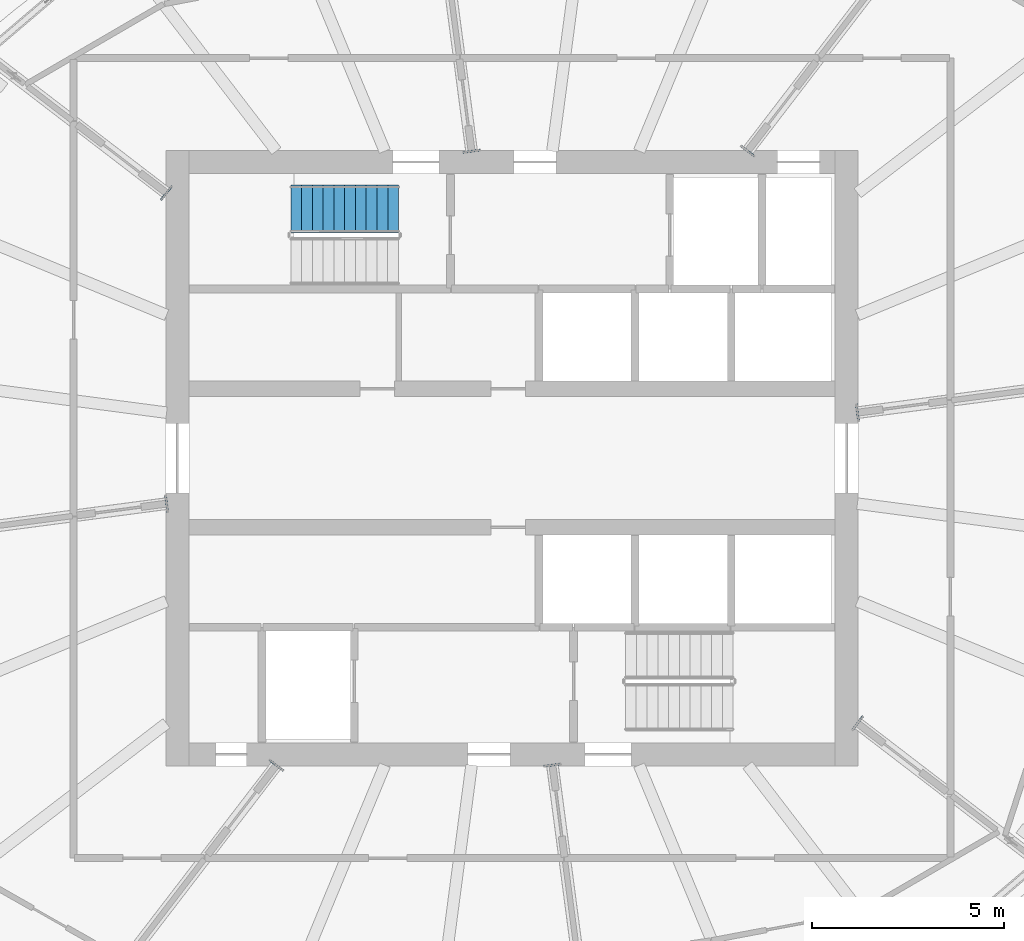
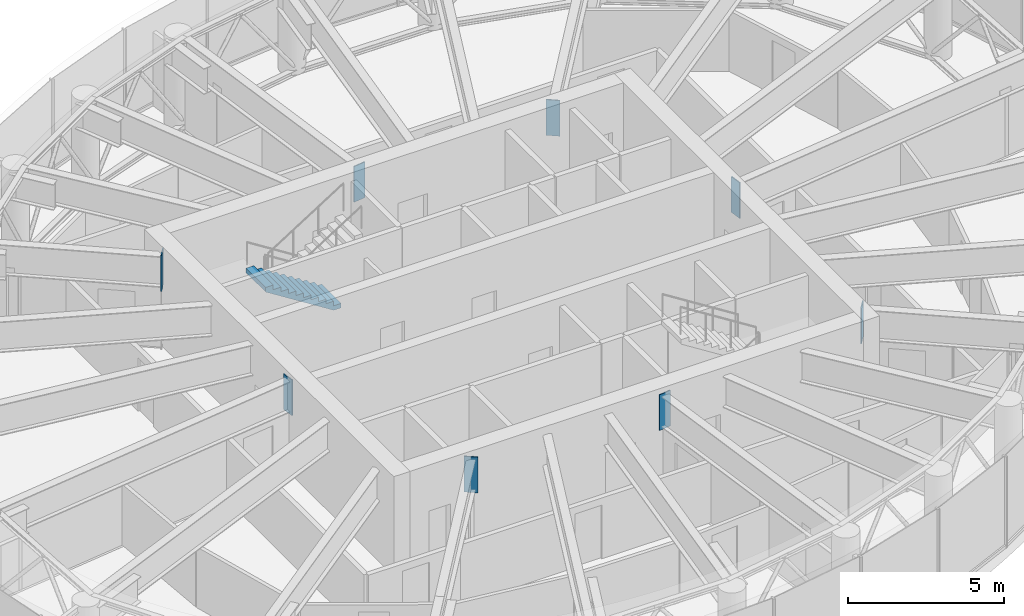
# One storey, part 19 of 26: 8 discrete accessories, 1 stair flight, 1 element without a shape of its own.
"""IFC4 building model written with IfcOpenShell, lengths in metres."""

from ifc_helpers import new_model, si_unit, direction, frame, origin, origin_2d, place, context, subcontext, project, spatial, line, indexed_curve, rectangle, outline, extrude, source, transform, mapped, material, layer, layer_set, type_object, element, aggregate, save


model = new_model("IFC4")

# Units and contexts
model_context = context("Model", 3, precision=1e-05, world=origin(), true_north=direction((0.0, 1.0)))
body_context = subcontext(model_context, "Body", "Model", "MODEL_VIEW")
ifc_project = project(units=[si_unit("LENGTHUNIT", "METRE"), si_unit("AREAUNIT", "SQUARE_METRE"), si_unit("VOLUMEUNIT", "CUBIC_METRE"), si_unit("PLANEANGLEUNIT", "RADIAN"), si_unit("MASSUNIT", "GRAM", prefix="KILO")], contexts=[model_context])

# Site, building, storey
site_placement = place(None, origin())
site = spatial("IfcSite", under=ifc_project, at=site_placement, CompositionType="ELEMENT")
building_placement = place(site_placement, origin())
building = spatial("IfcBuilding", under=site, at=building_placement, Name="Spindrift Exchange Tower", CompositionType="ELEMENT")
storey_placement = place(building_placement, frame((0.0, 0.0, 230.60009765625)))
storey = spatial("IfcBuildingStorey", under=building, at=storey_placement, Name="L56", CompositionType="ELEMENT", Elevation=230.60009765625)

# Stair, stair flight
ifc_material_1 = material(Name="Concrete 50 MPa", Category="concrete")
stair_type = type_object("IfcStairType", Name="ST-1250-R177", PredefinedType="HALF_TURN_STAIR", material=ifc_material_1)
stair_placement = place(storey_placement, origin())
stair = element("IfcStair", 1, at=stair_placement, inside=storey, type_object=stair_type, Name="L56 Exit stair ST1", PredefinedType="HALF_TURN_STAIR")
stair_flight_type = type_object("IfcStairFlightType", Name="STF-1250-R177", PredefinedType="STRAIGHT", material=ifc_material_1)
stair_flight_placement = place(storey_placement, frame((49.050048828125, 54.47509765625, 0.0), z_axis=(0.0, 0.0, 1.0), x_axis=(-1.0, 0.0, 0.0)))
stair_flight = element("IfcStairFlight", 2, at=stair_flight_placement, type_object=stair_flight_type, Name="ST1 flight 1", NumberOfRisers=11, NumberOfTreads=10, PredefinedType="STRAIGHT", RiserHeight=0.177272727, TreadLength=0.28, context=body_context, shape_type="SweptSolid", body=[
    extrude(outline(indexed_curve([(0.0, 0.0), (0.0, 0.177734375), (0.2802734375, 0.177734375), (0.2802734375, 0.3544921875), (0.5595703125, 0.3544921875), (0.5595703125, 0.5322265625), (0.83984375, 0.5322265625), (0.83984375, 0.708984375), (1.1201171875, 0.708984375), (1.1201171875, 0.88671875), (1.400390625, 0.88671875), (1.400390625, 1.0634765625), (1.6796875, 1.0634765625), (1.6796875, 1.2412109375), (1.9599609375, 1.2412109375), (1.9599609375, 1.41796875), (2.240234375, 1.41796875), (2.240234375, 1.595703125), (2.51953125, 1.595703125), (2.51953125, 1.7724609375), (2.7998046875, 1.7724609375), (2.7998046875, 1.9501953125), (2.7998046875, 1.595703125), (0.2802734375, 0.0)], segments=[line(1, 2, 3, 4, 5, 6, 7, 8, 9, 10, 11, 12, 13, 14, 15, 16, 17, 18, 19, 20, 21, 22, 23, 24, 1)], self_intersect=False)), frame((0.0, 0.625, 0.0), z_axis=(0.0, -1.0, 0.0), x_axis=(1.0, 0.0, 0.0)), (0.0, 0.0, 1.0), 1.25),
])
aggregate(stair, [stair_flight])

# Discrete accessories
ifc_material_2 = material(Name="Steel Grade 350", Category="steel")
ifc_layer = layer(ifc_material_2, 0.0400390625)
ifc_layer_set = layer_set([ifc_layer], Name="Cast-in plate 450x1400x40 Steel Grade 350")
discrete_accessory_type = type_object("IfcDiscreteAccessoryType", Name="Cast-in plate 450x1400x40 Steel Grade 350", PredefinedType="USERDEFINED", material=ifc_layer_set)
shared_shape = source(origin(), body_context, "Body", "SweptSolid", [
    extrude(rectangle(XDim=0.0400390625, YDim=0.449951171875, at=origin_2d()), origin(), (0.0, 0.0, 1.0), 1.39990234375),
])
for number, where, z_axis, x_axis, name in (
    (3, (60.980224609375, 49.182373046875, 2.280029296875), (0.0, 0.0, 1.0), (0.991444861374, 0.13052619222, 0.0), "L56 cast-in plate CP1 01"),
    (4, (58.12646484375, 55.984130859375, 2.280029296875), (0.0, 0.0, 1.0), (0.608761429009, 0.793353340291, 0.0), "L56 cast-in plate CP1 04"),
    (5, (50.949462890625, 55.980224609375, 2.280029296875), (0.0, 0.0, 1.0), (-0.13052619222, 0.991444861374, 0.0), "L56 cast-in plate CP1 07"),
    (6, (43.015869140625, 54.893798828125, 2.280029296875), (0.0, 0.0, 1.0), (-0.793353340291, 0.608761429009, 0.0), "L56 cast-in plate CP1 10"),
    (7, (43.019775390625, 46.817626953125, 2.280029296875), (0.0, 0.0, 1.0), (-0.991444861374, -0.13052619222, 0.0), "L56 cast-in plate CP1 13"),
    (8, (45.87353515625, 40.015869140625, 2.280029296875), (0.0, 0.0, 1.0), (-0.608761429009, -0.793353340291, 0.0), "L56 cast-in plate CP1 16"),
    (9, (53.050537109375, 40.019775390625, 2.280029296875), (0.0, 0.0, 1.0), (0.13052619222, -0.991444861374, 0.0), "L56 cast-in plate CP1 19"),
    (10, (60.984130859375, 41.106201171875, 2.280029296875), (0.0, 0.0, 1.0), (0.793353340291, -0.608761429009, 0.0), "L56 cast-in plate CP1 22"),
):
    element("IfcDiscreteAccessory", number, at=place(storey_placement, frame(where, z_axis=z_axis, x_axis=x_axis)), inside=storey, type_object=discrete_accessory_type, Name=name, ObjectType="Cast-in plate", PredefinedType="USERDEFINED", context=body_context, shape_type="MappedRepresentation", body=[
        mapped(shared_shape, transform((0.0, 0.0, 0.0), scale=1.0)),
    ])

save(model, "model.ifc")
